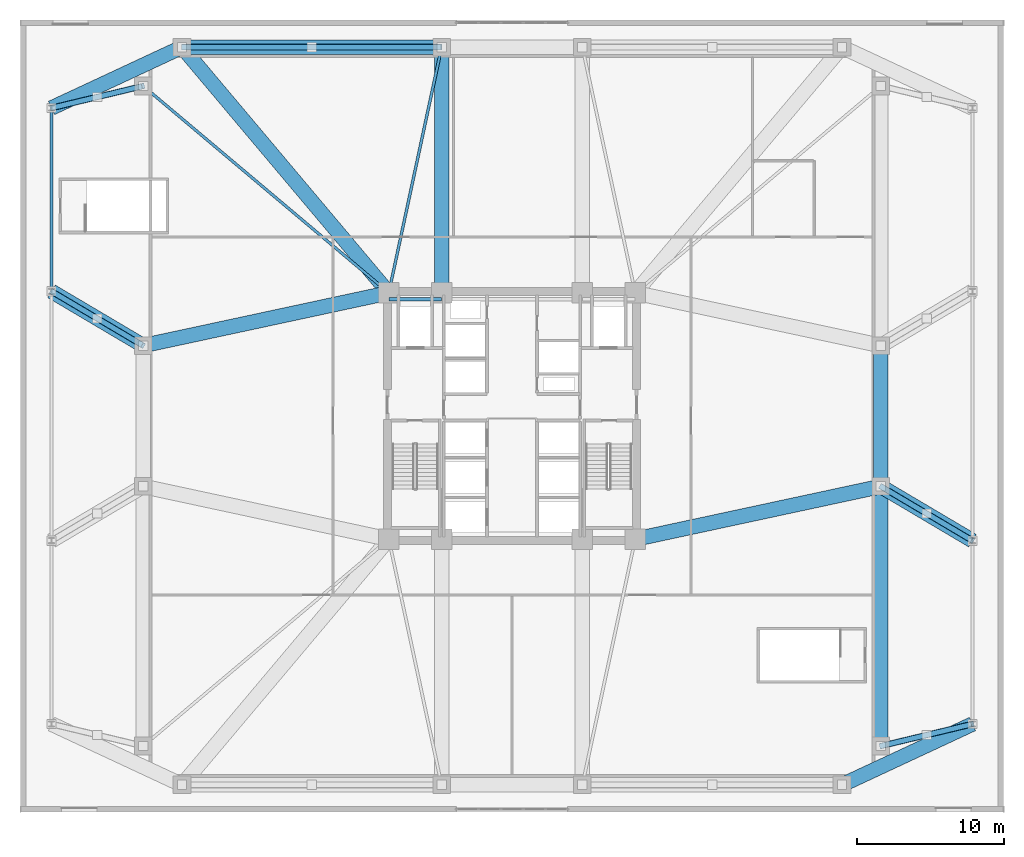
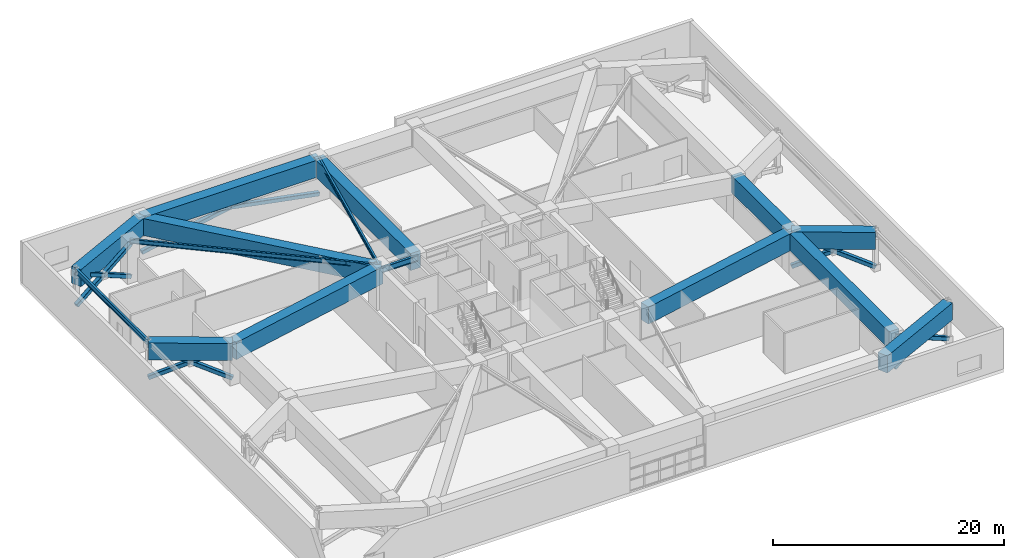
# One storey, part 6 of 19: 15 beams, 15 members.
"""IFC4 building model written with IfcOpenShell, lengths in metres."""

from ifc_helpers import new_model, si_unit, direction, frame, origin, origin_2d, place, context, subcontext, project, spatial, rectangle, hollow_rectangle, i_section, extrude, material, material_profile, profile_set, type_object, element, save


model = new_model("IFC4")

# Units and contexts
model_context = context("Model", 3, precision=1e-05, world=origin(), true_north=direction((0.0, 1.0)))
body_context = subcontext(model_context, "Body", "Model", "MODEL_VIEW")
ifc_project = project(units=[si_unit("LENGTHUNIT", "METRE"), si_unit("AREAUNIT", "SQUARE_METRE"), si_unit("VOLUMEUNIT", "CUBIC_METRE"), si_unit("PLANEANGLEUNIT", "RADIAN"), si_unit("MASSUNIT", "GRAM", prefix="KILO")], contexts=[model_context])

# Site, building, storey
site_placement = place(None, origin())
site = spatial("IfcSite", under=ifc_project, at=site_placement, CompositionType="ELEMENT")
building_placement = place(site_placement, origin())
building = spatial("IfcBuilding", under=site, at=building_placement, Name="Cairnveth Concourse Tower", CompositionType="ELEMENT")
storey_placement = place(building_placement, frame((0.0, 0.0, 19.0)))
storey = spatial("IfcBuildingStorey", under=building, at=storey_placement, Name="L04", CompositionType="ELEMENT", Elevation=19.0)

# Beams
ifc_material_1 = material(Name="Concrete N65 (65 MPa)", Category="concrete")
ifc_material_profile_1 = material_profile(ifc_material_1, rectangle(XDim=1.0, YDim=1.800048828125, at=origin_2d()), Name="RC-TB-1000x1800")
ifc_profile_set_1 = profile_set([ifc_material_profile_1], Name="Concrete N65 (65 MPa)")
beam_type_1 = type_object("IfcBeamType", Name="CONCRETE TRANSFER GIRDER 1000X1800", PredefinedType="BEAM", material=ifc_profile_set_1)
for number, where, z_axis, x_axis, name in (
    (1, (74.5, 13.85009765625, 3.3798828125), (0.906315208572, 0.422602345842, 0.0), (-0.422602345842, 0.906315208572, 0.0), "Beam PG-E-S L04"),
    (2, (20.60009765625, 60.0, 3.3798828125), (0.906315208572, 0.422602345842, 0.0), (-0.422602345842, 0.906315208572, 0.0), "Beam PG-W-N L04"),
):
    element("IfcBeam", number, at=place(storey_placement, frame(where, z_axis=z_axis, x_axis=x_axis)), inside=storey, type_object=beam_type_1, Name=name, PredefinedType="BEAM", context=body_context, shape_type="SweptSolid", body=[
        extrude(rectangle(XDim=1.0, YDim=1.800048828125, at=origin_2d()), origin(), (0.0, 0.0, 1.0), 9.81982421875),
    ])
beam_1_placement = place(storey_placement, frame((20.60009765625, 47.5, 3.3798828125), z_axis=(0.860518044459, -0.509419959523, 0.0), x_axis=(0.509419959523, 0.860518044459, 0.0)))
element("IfcBeam", 3, at=beam_1_placement, inside=storey, type_object=beam_type_1, Name="Beam PG-W2 L04", PredefinedType="BEAM", context=body_context, shape_type="SweptSolid", body=[
    extrude(rectangle(XDim=1.0, YDim=1.800048828125, at=origin_2d()), origin(), (0.0, 0.0, 1.0), 7.26318359375),
])
for number, where, z_axis, x_axis, name in (
    (4, (26.85009765625, 43.800048828125, 3.3798828125), (0.977675861524, 0.210118799239, 0.0), (-0.210118799239, 0.977675861524, 0.0), "Beam PG-W2B L04"),
    (5, (60.39990234375, 30.60009765625, 3.3798828125), (0.977675861524, 0.210118799239, 0.0), (-0.210118799239, 0.977675861524, 0.0), "Beam PG-E1 L04"),
):
    element("IfcBeam", number, at=place(storey_placement, frame(where, z_axis=z_axis, x_axis=x_axis)), inside=storey, type_object=beam_type_1, Name=name, PredefinedType="BEAM", context=body_context, shape_type="SweptSolid", body=[
        extrude(rectangle(XDim=1.0, YDim=1.800048828125, at=origin_2d()), origin(), (0.0, 0.0, 1.0), 17.132568359375),
    ])
beam_2_placement = place(storey_placement, frame((77.14990234375, 34.199951171875, 3.3798828125), z_axis=(0.860518044459, -0.509419959523, 0.0), x_axis=(0.509419959523, 0.860518044459, 0.0)))
element("IfcBeam", 6, at=beam_2_placement, inside=storey, type_object=beam_type_1, Name="Beam PG-E1B L04", PredefinedType="BEAM", context=body_context, shape_type="SweptSolid", body=[
    extrude(rectangle(XDim=1.0, YDim=1.800048828125, at=origin_2d()), origin(), (0.0, 0.0, 1.0), 7.26318359375),
])
beam_3_placement = place(storey_placement, frame((47.199951171875, 47.39990234375, 3.3798828125), z_axis=(0.0, 1.0, 0.0), x_axis=(-1.0, 0.0, 0.0)))
element("IfcBeam", 7, at=beam_3_placement, inside=storey, type_object=beam_type_1, Name="Beam PG-N1 L04", PredefinedType="BEAM", context=body_context, shape_type="SweptSolid", body=[
    extrude(rectangle(XDim=1.0, YDim=1.800048828125, at=origin_2d()), origin(), (0.0, 0.0, 1.0), 16.75),
])
beam_4_placement = place(storey_placement, frame((29.5, 64.14990234375, 3.3798828125), z_axis=(0.643997697905, -0.765027427674, 0.0), x_axis=(0.765027427674, 0.643997697905, 0.0)))
element("IfcBeam", 8, at=beam_4_placement, inside=storey, type_object=beam_type_1, Name="Beam PG-CNW L04", PredefinedType="BEAM", context=body_context, shape_type="SweptSolid", body=[
    extrude(rectangle(XDim=1.0, YDim=1.800048828125, at=origin_2d()), origin(), (0.0, 0.0, 1.0), 21.89453125),
])
for number, where, z_axis, x_axis, name in (
    (9, (29.5, 64.14990234375, 3.3798828125), (1.0, 0.0, 0.0), (0.0, 1.0, 0.0), "Beam PR-N1 L04"),
    (10, (77.14990234375, 16.5, 3.3798828125), (0.0, 1.0, 0.0), (-1.0, 0.0, 0.0), "Beam PR-E1 L04"),
):
    element("IfcBeam", number, at=place(storey_placement, frame(where, z_axis=z_axis, x_axis=x_axis)), inside=storey, type_object=beam_type_1, Name=name, PredefinedType="BEAM", context=body_context, shape_type="SweptSolid", body=[
        extrude(rectangle(XDim=1.0, YDim=1.800048828125, at=origin_2d()), origin(), (0.0, 0.0, 1.0), 17.699951171875),
    ])
beam_5_placement = place(storey_placement, frame((77.14990234375, 34.199951171875, 3.3798828125), z_axis=(0.0, 1.0, 0.0), x_axis=(-1.0, 0.0, 0.0)))
element("IfcBeam", 11, at=beam_5_placement, inside=storey, type_object=beam_type_1, Name="Beam PR-E2 L04", PredefinedType="BEAM", context=body_context, shape_type="SweptSolid", body=[
    extrude(rectangle(XDim=1.0, YDim=1.800048828125, at=origin_2d()), origin(), (0.0, 0.0, 1.0), 9.60009765625),
])
ifc_material_2 = material(Name="Steel Grade 350", Category="steel")
ifc_material_profile_2 = material_profile(ifc_material_2, i_section(OverallWidth=0.22802734375, OverallDepth=0.60693359375, WebThickness=0.01123046875, FlangeThickness=0.017333984375, FilletRadius=0.013916015625, at=origin_2d()), Name="610UB113")
ifc_profile_set_2 = profile_set([ifc_material_profile_2], Name="Steel Grade 350")
beam_type_2 = type_object("IfcBeamType", Name="CORE TIE BEAM 610UB113", PredefinedType="T_BEAM", material=ifc_profile_set_2)
beam_6_placement = place(storey_placement, frame((43.60009765625, 46.949951171875, 3.9765625), z_axis=(1.0, 0.0, 0.0), x_axis=(0.0, 1.0, 0.0)))
element("IfcBeam", 12, at=beam_6_placement, inside=storey, type_object=beam_type_2, Name="Beam CT-N1 L04", PredefinedType="T_BEAM", context=body_context, shape_type="SweptSolid", body=[
    extrude(i_section(OverallWidth=0.22802734375, OverallDepth=0.60693359375, WebThickness=0.01123046875, FlangeThickness=0.017333984375, FilletRadius=0.013916015625, at=origin_2d()), origin(), (0.0, 0.0, 1.0), 3.599853515625),
])
ifc_material_profile_3 = material_profile(ifc_material_2, i_section(OverallWidth=0.208984375, OverallDepth=0.532958984375, WebThickness=0.01025390625, FlangeThickness=0.015625, FilletRadius=0.013916015625, at=origin_2d()), Name="530UB92.4")
ifc_profile_set_3 = profile_set([ifc_material_profile_3], Name="Steel Grade 350")
beam_type_3 = type_object("IfcBeamType", Name="PODIUM EDGE SPANDREL 530UB92.4", PredefinedType="SPANDREL", material=ifc_profile_set_3)
beam_7_placement = place(storey_placement, frame((20.60009765625, 47.5, 4.013427734375), z_axis=(0.0, 1.0, 0.0), x_axis=(-1.0, 0.0, 0.0)))
element("IfcBeam", 13, at=beam_7_placement, inside=storey, type_object=beam_type_3, Name="Beam PSP-W3 L04", PredefinedType="SPANDREL", context=body_context, shape_type="SweptSolid", body=[
    extrude(i_section(OverallWidth=0.208984375, OverallDepth=0.532958984375, WebThickness=0.01025390625, FlangeThickness=0.015625, FilletRadius=0.013916015625, at=origin_2d()), origin(), (0.0, 0.0, 1.0), 12.5),
])
ifc_material_profile_4 = material_profile(ifc_material_2, i_section(OverallWidth=0.18994140625, OverallDepth=0.45703125, WebThickness=0.009033203125, FlangeThickness=0.014404296875, FilletRadius=0.010986328125, at=origin_2d()), Name="460UB74.6")
ifc_profile_set_4 = profile_set([ifc_material_profile_4], Name="Steel Grade 350")
beam_type_4 = type_object("IfcBeamType", Name="PODIUM FLOOR JOIST 460UB74.6", PredefinedType="JOIST", material=ifc_profile_set_4)
beam_8_placement = place(storey_placement, frame((26.85009765625, 61.5, 4.051513671875), z_axis=(0.765027427674, -0.643997697905, 0.0), x_axis=(0.643997697905, 0.765027427674, 0.0)))
element("IfcBeam", 14, at=beam_8_placement, inside=storey, type_object=beam_type_4, Name="Beam PJ-NW1 L04", PredefinedType="JOIST", context=body_context, shape_type="SweptSolid", body=[
    extrude(i_section(OverallWidth=0.18994140625, OverallDepth=0.45703125, WebThickness=0.009033203125, FlangeThickness=0.014404296875, FilletRadius=0.010986328125, at=origin_2d()), origin(), (0.0, 0.0, 1.0), 21.89453125),
])
beam_9_placement = place(storey_placement, frame((43.60009765625, 47.39990234375, 4.051513671875), z_axis=(0.210118799239, 0.977675861524, 0.0), x_axis=(-0.977675861524, 0.210118799239, 0.0)))
element("IfcBeam", 15, at=beam_9_placement, inside=storey, type_object=beam_type_4, Name="Beam PJ-N-X L04", PredefinedType="JOIST", context=body_context, shape_type="SweptSolid", body=[
    extrude(i_section(OverallWidth=0.18994140625, OverallDepth=0.45703125, WebThickness=0.009033203125, FlangeThickness=0.014404296875, FilletRadius=0.010986328125, at=origin_2d()), origin(), (0.0, 0.0, 1.0), 17.132568359375),
])

# Members
ifc_material_3 = material(Name="Steel C350L0 (350 MPa)", Category="steel")
ifc_material_profile_5 = material_profile(ifc_material_3, hollow_rectangle(XDim=0.39990234375, YDim=0.39990234375, WallThickness=0.01611328125, InnerFilletRadius=0.01611328125, OuterFilletRadius=0.031982421875, at=origin_2d()), Name="400x400x16.0SHS")
ifc_profile_set_5 = profile_set([ifc_material_profile_5], Name="Steel C350L0 (350 MPa)")
member_type = type_object("IfcMemberType", Name="PODIUM TRANSFER BRACE 400X400X16SHS", PredefinedType="BRACE", material=ifc_profile_set_5)
member_1_placement = place(storey_placement, frame((20.60009765625, 47.5, 0.35009765625), z_axis=(0.780179532643, -0.461860188172, 0.421906462887), x_axis=(0.509419959523, 0.860518044459, 0.0)))
element("IfcMember", 16, at=member_1_placement, inside=storey, type_object=member_type, Name="Structural Brace PTR-TW3A L04", PredefinedType="BRACE", context=body_context, shape_type="SweptSolid", body=[
    extrude(hollow_rectangle(XDim=0.39990234375, YDim=0.39990234375, WallThickness=0.01611328125, InnerFilletRadius=0.01611328125, OuterFilletRadius=0.031982421875, at=origin_2d()), origin(), (0.0, 0.0, 1.0), 8.010986328125),
])
for number, where, z_axis, x_axis, name in (
    (17, (26.85009765625, 43.800048828125, 0.35009765625), (-0.780182248625, 0.461856633851, 0.42190533144), (-0.50941574336, -0.86052054038, 0.0), "Structural Brace PTR-TW3B1 L04"),
    (18, (23.71337890625, 45.656982421875, 2.04638671875), (-0.780182248625, 0.461856633851, 0.42190533144), (-0.50941574336, -0.86052054038, 0.0), "Structural Brace PTR-TW3B2 L04"),
):
    element("IfcMember", number, at=place(storey_placement, frame(where, z_axis=z_axis, x_axis=x_axis)), inside=storey, type_object=member_type, Name=name, PredefinedType="BRACE", context=body_context, shape_type="SweptSolid", body=[
        extrude(hollow_rectangle(XDim=0.39990234375, YDim=0.39990234375, WallThickness=0.01611328125, InnerFilletRadius=0.01611328125, OuterFilletRadius=0.031982421875, at=origin_2d()), origin(), (0.0, 0.0, 1.0), 3.990478515625),
    ])
member_2_placement = place(storey_placement, frame((20.60009765625, 60.0, 0.35009765625), z_axis=(0.860648825687, 0.206555718165, 0.465422747766), x_axis=(-0.233372952475, 0.972387301981, 0.0)))
element("IfcMember", 19, at=member_2_placement, inside=storey, type_object=member_type, Name="Structural Brace PTR-TW4A L04", PredefinedType="BRACE", context=body_context, shape_type="SweptSolid", body=[
    extrude(hollow_rectangle(XDim=0.39990234375, YDim=0.39990234375, WallThickness=0.01611328125, InnerFilletRadius=0.01611328125, OuterFilletRadius=0.031982421875, at=origin_2d()), origin(), (0.0, 0.0, 1.0), 7.261962890625),
])
member_3_placement = place(storey_placement, frame((26.85009765625, 61.5, 0.35009765625), z_axis=(-0.86067884724, -0.206527815634, 0.465379612019), x_axis=(0.233335447822, -0.972396302332, 0.0)))
element("IfcMember", 20, at=member_3_placement, inside=storey, type_object=member_type, Name="Structural Brace PTR-TW4B1 L04", PredefinedType="BRACE", context=body_context, shape_type="SweptSolid", body=[
    extrude(hollow_rectangle(XDim=0.39990234375, YDim=0.39990234375, WallThickness=0.01611328125, InnerFilletRadius=0.01611328125, OuterFilletRadius=0.031982421875, at=origin_2d()), origin(), (0.0, 0.0, 1.0), 3.6162109375),
])
member_4_placement = place(storey_placement, frame((23.712158203125, 60.746826171875, 2.047119140625), z_axis=(-0.860661343719, -0.206539817246, 0.465406655861), x_axis=(0.233352756207, -0.972392148863, 0.0)))
element("IfcMember", 21, at=member_4_placement, inside=storey, type_object=member_type, Name="Structural Brace PTR-TW4B2 L04", PredefinedType="BRACE", context=body_context, shape_type="SweptSolid", body=[
    extrude(hollow_rectangle(XDim=0.39990234375, YDim=0.39990234375, WallThickness=0.01611328125, InnerFilletRadius=0.01611328125, OuterFilletRadius=0.031982421875, at=origin_2d()), origin(), (0.0, 0.0, 1.0), 3.615966796875),
])
member_5_placement = place(storey_placement, frame((77.14990234375, 16.5, 0.35009765625), z_axis=(0.860648825687, 0.206555718165, 0.465422747766), x_axis=(-0.233372952475, 0.972387301981, 0.0)))
element("IfcMember", 22, at=member_5_placement, inside=storey, type_object=member_type, Name="Structural Brace PTR-TE1A L04", PredefinedType="BRACE", context=body_context, shape_type="SweptSolid", body=[
    extrude(hollow_rectangle(XDim=0.39990234375, YDim=0.39990234375, WallThickness=0.01611328125, InnerFilletRadius=0.01611328125, OuterFilletRadius=0.031982421875, at=origin_2d()), origin(), (0.0, 0.0, 1.0), 7.261962890625),
])
member_6_placement = place(storey_placement, frame((83.39990234375, 18.0, 0.35009765625), z_axis=(-0.860661343719, -0.206539817246, 0.465406655861), x_axis=(0.233352756207, -0.972392148863, 0.0)))
element("IfcMember", 23, at=member_6_placement, inside=storey, type_object=member_type, Name="Structural Brace PTR-TE1B1 L04", PredefinedType="BRACE", context=body_context, shape_type="SweptSolid", body=[
    extrude(hollow_rectangle(XDim=0.39990234375, YDim=0.39990234375, WallThickness=0.01611328125, InnerFilletRadius=0.01611328125, OuterFilletRadius=0.031982421875, at=origin_2d()), origin(), (0.0, 0.0, 1.0), 3.615966796875),
])
member_7_placement = place(storey_placement, frame((80.26220703125, 17.246826171875, 2.047119140625), z_axis=(-0.86067884724, -0.206527815634, 0.465379612019), x_axis=(0.233335447822, -0.972396302332, 0.0)))
element("IfcMember", 24, at=member_7_placement, inside=storey, type_object=member_type, Name="Structural Brace PTR-TE1B2 L04", PredefinedType="BRACE", context=body_context, shape_type="SweptSolid", body=[
    extrude(hollow_rectangle(XDim=0.39990234375, YDim=0.39990234375, WallThickness=0.01611328125, InnerFilletRadius=0.01611328125, OuterFilletRadius=0.031982421875, at=origin_2d()), origin(), (0.0, 0.0, 1.0), 3.6162109375),
])
member_8_placement = place(storey_placement, frame((77.14990234375, 34.199951171875, 0.35009765625), z_axis=(0.780179532643, -0.461860188172, 0.421906462887), x_axis=(0.509419959523, 0.860518044459, 0.0)))
element("IfcMember", 25, at=member_8_placement, inside=storey, type_object=member_type, Name="Structural Brace PTR-TE2A L04", PredefinedType="BRACE", context=body_context, shape_type="SweptSolid", body=[
    extrude(hollow_rectangle(XDim=0.39990234375, YDim=0.39990234375, WallThickness=0.01611328125, InnerFilletRadius=0.01611328125, OuterFilletRadius=0.031982421875, at=origin_2d()), origin(), (0.0, 0.0, 1.0), 8.010986328125),
])
for number, where, z_axis, x_axis, name in (
    (26, (83.39990234375, 30.5, 0.35009765625), (-0.780182248625, 0.461856633851, 0.42190533144), (-0.50941574336, -0.86052054038, 0.0), "Structural Brace PTR-TE2B1 L04"),
    (27, (80.26318359375, 32.35693359375, 2.04638671875), (-0.780182248625, 0.461856633851, 0.42190533144), (-0.50941574336, -0.86052054038, 0.0), "Structural Brace PTR-TE2B2 L04"),
):
    element("IfcMember", number, at=place(storey_placement, frame(where, z_axis=z_axis, x_axis=x_axis)), inside=storey, type_object=member_type, Name=name, PredefinedType="BRACE", context=body_context, shape_type="SweptSolid", body=[
        extrude(hollow_rectangle(XDim=0.39990234375, YDim=0.39990234375, WallThickness=0.01611328125, InnerFilletRadius=0.01611328125, OuterFilletRadius=0.031982421875, at=origin_2d()), origin(), (0.0, 0.0, 1.0), 3.990478515625),
    ])
member_9_placement = place(storey_placement, frame((29.5, 64.14990234375, 0.35009765625), z_axis=(0.982252130991, 0.0, 0.187565325059), x_axis=(0.0, 1.0, 0.0)))
element("IfcMember", 28, at=member_9_placement, inside=storey, type_object=member_type, Name="Structural Brace PTR-TN1A L04", PredefinedType="BRACE", context=body_context, shape_type="SweptSolid", body=[
    extrude(hollow_rectangle(XDim=0.39990234375, YDim=0.39990234375, WallThickness=0.01611328125, InnerFilletRadius=0.01611328125, OuterFilletRadius=0.031982421875, at=origin_2d()), origin(), (0.0, 0.0, 1.0), 18.019775390625),
])
for number, where, z_axis, x_axis, name in (
    (29, (47.199951171875, 64.14990234375, 0.35009765625), (-0.9822543675, 0.0, 0.187553612408), (0.0, -1.0, 0.0), "Structural Brace PTR-TN1B1 L04"),
    (30, (38.335205078125, 64.14990234375, 2.042724609375), (-0.982249366868, 0.0, 0.187579799785), (0.0, -1.0, 0.0), "Structural Brace PTR-TN1B2 L04"),
):
    element("IfcMember", number, at=place(storey_placement, frame(where, z_axis=z_axis, x_axis=x_axis)), inside=storey, type_object=member_type, Name=name, PredefinedType="BRACE", context=body_context, shape_type="SweptSolid", body=[
        extrude(hollow_rectangle(XDim=0.39990234375, YDim=0.39990234375, WallThickness=0.01611328125, InnerFilletRadius=0.01611328125, OuterFilletRadius=0.031982421875, at=origin_2d()), origin(), (0.0, 0.0, 1.0), 8.994873046875),
    ])

save(model, "model.ifc")
